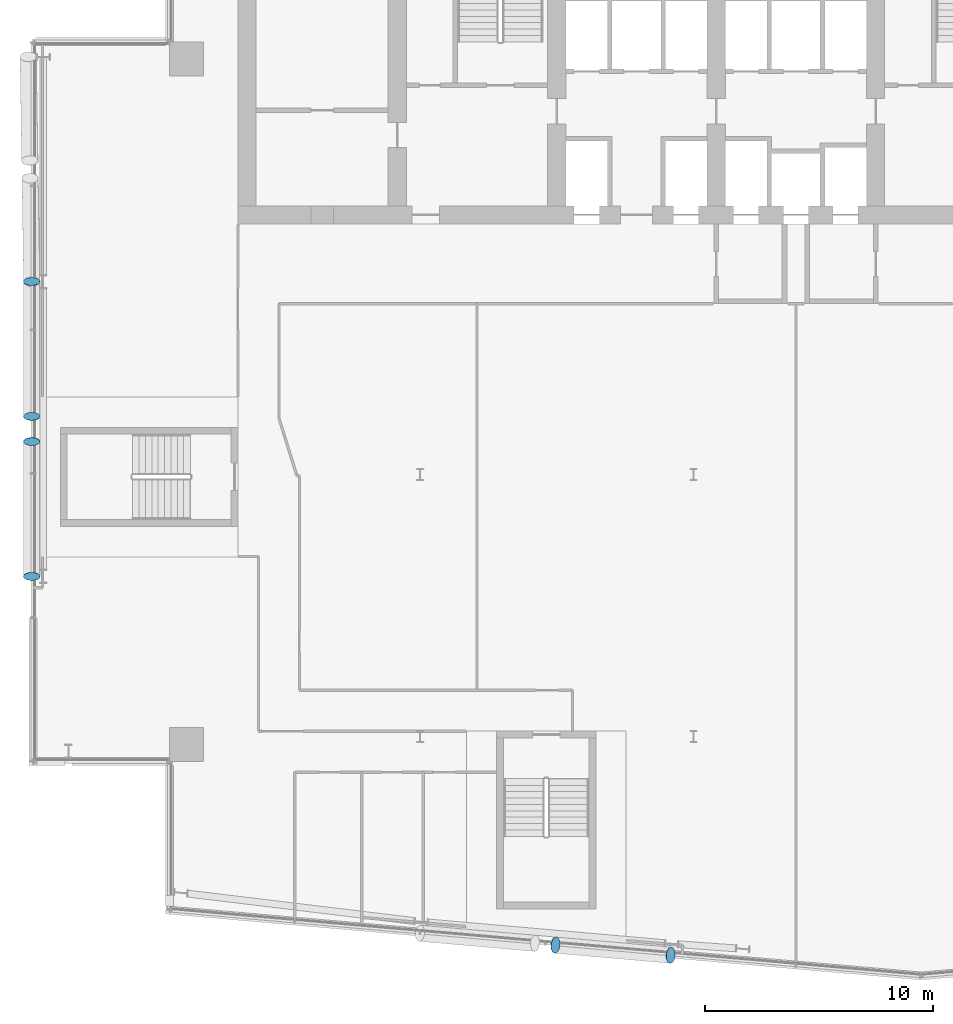
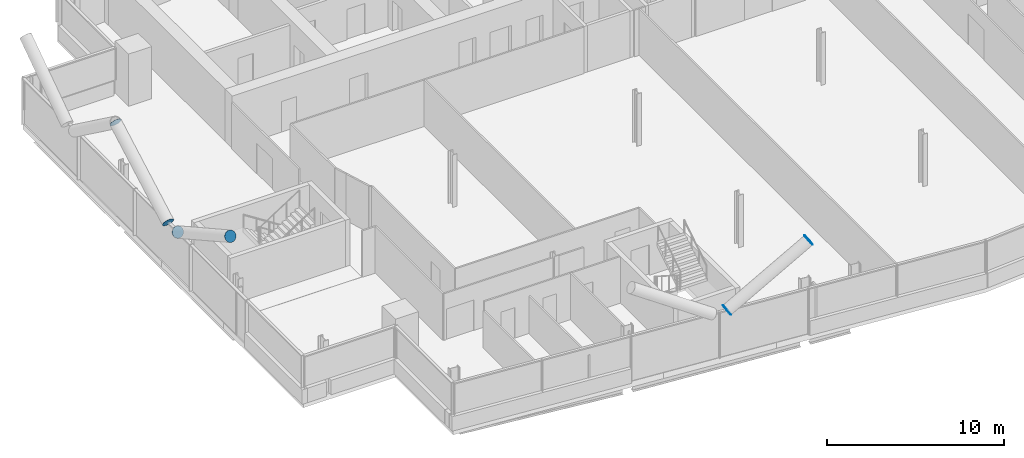
# One storey, part 20 of 26: 6 discrete accessories.
"""IFC4 building model written with IfcOpenShell, lengths in metres."""

import ifcopenshell
import ifcopenshell.guid

model = None  # the IFC model being written
_history = None  # IfcOwnerHistory: only IFC2X3 demands one
_inside = {}  # id of a spatial element -> (the spatial element, [elements in it])
_under = {}  # id of a project, library or spatial element -> (it, [spatial elements below it])
_declared = {}  # id of a project -> (the project, [libraries it declares])
_typed = {}  # id of a type object -> (the type object, [elements of that type])
_made_of = {}  # id of a material, layer set ... -> (it, [elements and type objects made of it])


def new_model(schema):
    """Start an empty IFC model of exactly this schema.

    Asked for "IFC4X3", IfcOpenShell would pick the latest addendum, in which some entities
    have other attributes; the version numbers below select the first issue.
    IFC2X3 requires an IfcOwnerHistory on every rooted entity: one is made here for all.
    """
    global model, _history
    if schema == "IFC4X3":
        model = ifcopenshell.file(schema_version=(4, 3, 0, 0))
    else:
        model = ifcopenshell.file(schema=schema)
    _inside.clear()
    _under.clear()
    _declared.clear()
    _typed.clear()
    _made_of.clear()
    _history = None
    if model.schema == "IFC2X3":
        org = make("IfcOrganization", Name="unknown")
        user = make(
            "IfcPersonAndOrganization",
            ThePerson=make("IfcPerson", FamilyName="unknown"),
            TheOrganization=org,
        )
        app = make(
            "IfcApplication",
            ApplicationDeveloper=org,
            Version="unknown",
            ApplicationFullName="unknown",
            ApplicationIdentifier="unknown",
        )
        _history = make(
            "IfcOwnerHistory",
            OwningUser=user,
            OwningApplication=app,
            ChangeAction="ADDED",
            CreationDate=0,
        )
    return model


def make(cls, **values):
    """One entity of the class cls with the attributes given. An attribute that is None is left unset."""
    return model.create_entity(
        cls, **{name: value for name, value in values.items() if value is not None}
    )


def rooted(cls, **values):
    """An entity with a GlobalId (a new one), such as an element, a storey or a relation."""
    return make(cls, GlobalId=ifcopenshell.guid.new(), OwnerHistory=_history, **values)


def si_unit(unit_type, name, prefix=None):
    """IfcSIUnit, for example si_unit("LENGTHUNIT", "METRE", prefix="MILLI")."""
    return make("IfcSIUnit", UnitType=unit_type, Prefix=prefix, Name=name)


def assignment(units):
    """IfcUnitAssignment: the units of a project."""
    return None if units is None else make("IfcUnitAssignment", Units=units)


def point(xyz):
    """IfcCartesianPoint."""
    return None if xyz is None else make("IfcCartesianPoint", Coordinates=xyz)


def direction(xyz):
    """IfcDirection."""
    return None if xyz is None else make("IfcDirection", DirectionRatios=xyz)


def frame(location, z_axis=None, x_axis=None):
    """IfcAxis2Placement3D, a coordinate frame: its origin and axes. An axis left out is left unset."""
    return make(
        "IfcAxis2Placement3D",
        Location=point(location),
        Axis=direction(z_axis),
        RefDirection=direction(x_axis),
    )


def frame_2d(location, x_axis=None):
    """IfcAxis2Placement2D, a coordinate frame in the plane: its origin and x axis."""
    return make(
        "IfcAxis2Placement2D", Location=point(location), RefDirection=direction(x_axis)
    )


def origin():
    """The frame at (0, 0, 0) with its axes left unset."""
    return frame((0.0, 0.0, 0.0))


def origin_2d():
    """The frame at (0, 0) in the plane with its x axis left unset."""
    return frame_2d((0.0, 0.0))


def place(relative_to, where):
    """IfcLocalPlacement: puts the frame where relative to a parent placement (None: the world)."""
    return make(
        "IfcLocalPlacement", PlacementRelTo=relative_to, RelativePlacement=where
    )


def context(
    kind, dimensions, precision=None, world=None, true_north=None, identifier=None
):
    """IfcGeometricRepresentationContext, for example the 3D "Model" context."""
    return make(
        "IfcGeometricRepresentationContext",
        ContextIdentifier=identifier,
        ContextType=kind,
        CoordinateSpaceDimension=dimensions,
        Precision=precision,
        WorldCoordinateSystem=world,
        TrueNorth=true_north,
    )


def subcontext(parent, identifier, kind, view, scale=None):
    """IfcGeometricRepresentationSubContext, for example "Body" below "Model"."""
    return make(
        "IfcGeometricRepresentationSubContext",
        ContextIdentifier=identifier,
        ContextType=kind,
        ParentContext=parent,
        TargetScale=scale,
        TargetView=view,
    )


def project(units=None, contexts=None):
    """IfcProject with its units and contexts."""
    return rooted(
        "IfcProject",
        Name="project",
        RepresentationContexts=contexts,
        UnitsInContext=assignment(units),
    )


def spatial(cls, under=None, at=None, **own):
    """A site, building, storey or space (cls), placed at a placement, below another one or the project."""
    s = rooted(cls, ObjectPlacement=at, **own)
    if under is not None:
        _under.setdefault(under.id(), (under, []))[1].append(s)
    return s


def profile(cls, at=None, kind="AREA", **sizes):
    """A parametric profile (cls). Its sizes go by their IFC names, for example OverallWidth=200.0."""
    return make(cls, ProfileType=kind, Position=at, **sizes)


def circle(**sizes):
    """IfcCircleProfileDef."""
    return profile("IfcCircleProfileDef", **sizes)


def extrude(swept, where, along, depth):
    """IfcExtrudedAreaSolid: the profile swept, set in the frame where, extruded along a direction by depth."""
    return make(
        "IfcExtrudedAreaSolid",
        SweptArea=swept,
        Position=where,
        ExtrudedDirection=direction(along),
        Depth=depth,
    )


def shape(context_of_items, identifier, shape_type, items):
    """IfcShapeRepresentation: the items that make up one representation, for example the "Body"."""
    return make(
        "IfcShapeRepresentation",
        ContextOfItems=context_of_items,
        RepresentationIdentifier=identifier,
        RepresentationType=shape_type,
        Items=items,
    )


def material(Name=None, Category=None):
    """IfcMaterial."""
    return make("IfcMaterial", Name=Name, Category=Category)


def material_profile(
    of_material, cross_section, Name=None, Category=None, Priority=None
):
    """IfcMaterialProfile: a cross section and its material."""
    return make(
        "IfcMaterialProfile",
        Name=Name,
        Material=of_material,
        Profile=cross_section,
        Priority=Priority,
        Category=Category,
    )


def profile_set(profiles, Name=None, composite=None):
    """IfcMaterialProfileSet."""
    return make(
        "IfcMaterialProfileSet",
        Name=Name,
        MaterialProfiles=profiles,
        CompositeProfile=composite,
    )


def made_of(thing, what):
    """Note that an element or type object is made of a material, layer set ...; save() writes the relation."""
    if what is not None:
        _made_of.setdefault(what.id(), (what, []))[1].append(thing)
    return thing


def type_object(cls, material=None, **own):
    """A type object (cls), such as IfcWallType, which elements share."""
    return made_of(rooted(cls, **own), material)


def element(
    cls,
    number,
    at=None,
    inside=None,
    cuts=None,
    type_object=None,
    material=None,
    context=None,
    identifier="Body",
    shape_type=None,
    held_by="IfcProductDefinitionShape",
    body=None,
    shapes=None,
    **own,
):
    """One element of the class cls, such as IfcWall. Its Tag is "e" and its number.

    at: its placement. inside: the storey or other place that contains it. cuts: it is an
    opening in that element (IfcRelVoidsElement). A single representation is given by context,
    identifier, shape_type and body (its items); several are given by shapes. held_by: the class
    of the entity that holds the representations. save() writes the other relations.
    """
    e = rooted(cls, Tag="e%d" % number, ObjectPlacement=at, **own)
    if body is not None:
        shapes = [shape(context, identifier, shape_type, body)]
    if shapes is not None:
        e.Representation = make(held_by, Representations=shapes)
    if inside is not None:
        _inside.setdefault(inside.id(), (inside, []))[1].append(e)
    if cuts is not None:
        rooted(
            "IfcRelVoidsElement", RelatingBuildingElement=cuts, RelatedOpeningElement=e
        )
    if type_object is not None:
        _typed.setdefault(type_object.id(), (type_object, []))[1].append(e)
    return made_of(e, material)


def aggregate(whole, parts):
    """IfcRelAggregates: a whole, such as a stair, and the parts it consists of."""
    return rooted("IfcRelAggregates", RelatingObject=whole, RelatedObjects=parts)


def save(model, path):
    """Write the relations noted so far, then the file.

    IfcRelAggregates (storeys below a building ...), IfcRelContainedInSpatialStructure (elements
    in a storey), IfcRelDefinesByType, IfcRelAssociatesMaterial and IfcRelDeclares: one each for
    every whole, place, type object, material and project.
    """
    for whole, parts in _under.values():
        aggregate(whole, parts)
    for where, things in _inside.values():
        rooted(
            "IfcRelContainedInSpatialStructure",
            RelatedElements=things,
            RelatingStructure=where,
        )
    for kind, things in _typed.values():
        rooted("IfcRelDefinesByType", RelatedObjects=things, RelatingType=kind)
    for what, things in _made_of.values():
        rooted("IfcRelAssociatesMaterial", RelatedObjects=things, RelatingMaterial=what)
    for by, libraries in _declared.values():
        rooted("IfcRelDeclares", RelatingContext=by, RelatedDefinitions=libraries)
    model.write(path)


model = new_model("IFC4")

# Units and contexts
model_context = context("Model", 3, precision=1e-05, world=origin(), true_north=direction((0.0, 1.0)))
body_context = subcontext(model_context, "Body", "Model", "MODEL_VIEW")
ifc_project = project(units=[si_unit("LENGTHUNIT", "METRE"), si_unit("AREAUNIT", "SQUARE_METRE"), si_unit("VOLUMEUNIT", "CUBIC_METRE"), si_unit("PLANEANGLEUNIT", "RADIAN"), si_unit("MASSUNIT", "GRAM", prefix="KILO")], contexts=[model_context])

# Site, building, storey
site_placement = place(None, origin())
site = spatial("IfcSite", under=ifc_project, at=site_placement, CompositionType="ELEMENT")
building_placement = place(site_placement, origin())
building = spatial("IfcBuilding", under=site, at=building_placement, Name="Wharfspan Tower", CompositionType="ELEMENT")
storey_placement = place(building_placement, frame((0.0, 0.0, 180.699951)))
storey = spatial("IfcBuildingStorey", under=building, at=storey_placement, Name="L44", CompositionType="ELEMENT", Elevation=180.699951)

# Discrete accessories
ifc_material = material(Name="Steel S460NH", Category="steel")
ifc_material_profile = material_profile(ifc_material, circle(Radius=0.355469, at=origin_2d()))
ifc_profile_set = profile_set([ifc_material_profile], Name="Steel S460NH")
discrete_accessory_type = type_object("IfcDiscreteAccessoryType", Name="End plate CHS 711x36", PredefinedType="BRACKET", material=ifc_profile_set)
discrete_accessory_1_placement = place(storey_placement, frame((29.938721, 2.337891, 3.19043), z_axis=(0.837276, -0.073877, 0.541767), x_axis=(0.087893, 0.996132, 1e-06)))
element("IfcDiscreteAccessory", 1, at=discrete_accessory_1_placement, inside=storey, type_object=discrete_accessory_type, Name="End plate CHS 711x36", PredefinedType="BRACKET", context=body_context, shape_type="SweptSolid", body=[
    extrude(circle(Radius=0.355469, at=origin_2d()), origin(), (0.0, 0.0, 1.0), 0.01001),
])
discrete_accessory_2_placement = place(storey_placement, frame((34.995117, 1.895508, 6.5), z_axis=(0.83357, -0.071449, 0.547774), x_axis=(0.085401, 0.996343, 0.0)))
element("IfcDiscreteAccessory", 2, at=discrete_accessory_2_placement, inside=storey, type_object=discrete_accessory_type, Name="End plate CHS 711x36", PredefinedType="BRACKET", context=body_context, shape_type="SweptSolid", body=[
    extrude(circle(Radius=0.355469, at=origin_2d()), origin(), (0.0, 0.0, 1.0), 0.010254),
])
for number, where, z_axis, x_axis, name in (
    (3, (6.945068, 24.454346, 3.203857), (0.0, -0.874157, 0.485643), (1.0, 0.0, 0.0), "End plate CHS 711x36"),
    (4, (6.945068, 18.533447, 6.5), (0.0, -0.874157, 0.485643), (1.0, 0.0, 0.0), "End plate CHS 711x36"),
    (5, (6.945068, 25.545654, 3.203857), (0.0, 0.874157, 0.485643), (-1.0, 0.0, 0.0), "End plate CHS 711x36"),
    (6, (6.945068, 31.466553, 6.5), (0.0, 0.874157, 0.485643), (-1.0, 0.0, 0.0), "End plate CHS 711x36"),
):
    element("IfcDiscreteAccessory", number, at=place(storey_placement, frame(where, z_axis=z_axis, x_axis=x_axis)), inside=storey, type_object=discrete_accessory_type, Name=name, PredefinedType="BRACKET", context=body_context, shape_type="SweptSolid", body=[
        extrude(circle(Radius=0.355469, at=origin_2d()), origin(), (0.0, 0.0, 1.0), 0.01001),
    ])

save(model, "model.ifc")
